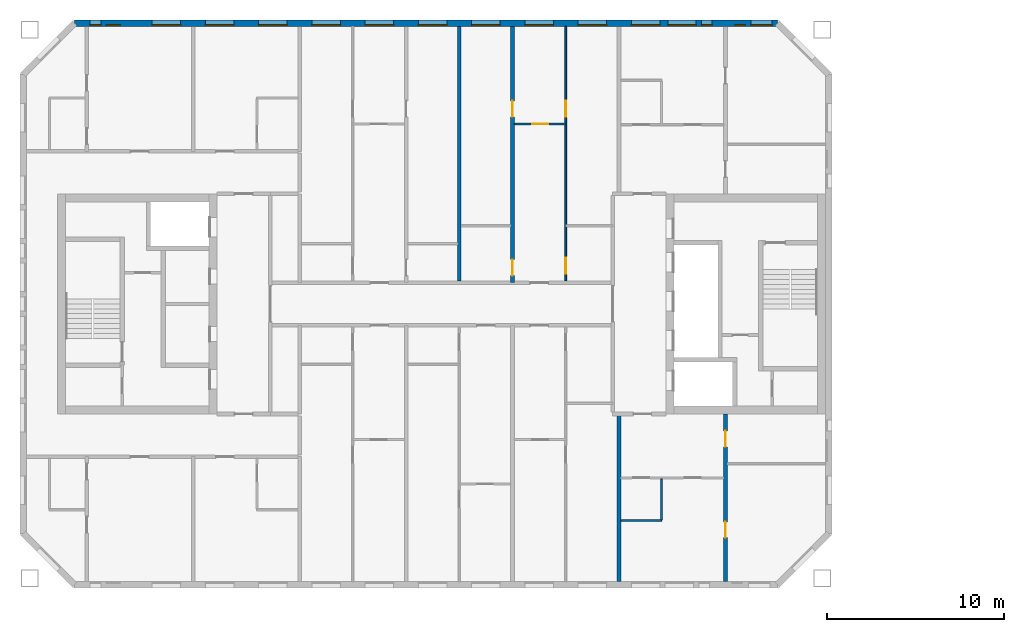
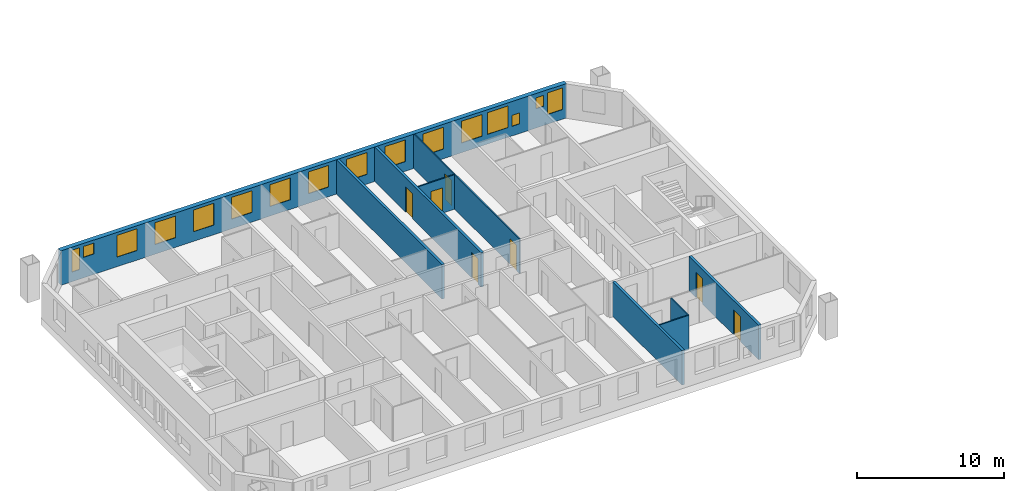
# One storey, part 6 of 16: 16 windows, 9 walls, 7 doors, 23 openings.
"""IFC4 building model written with IfcOpenShell, lengths in metres."""

from ifc_helpers import new_model, si_unit, direction, frame, frame_2d, origin, place, context, subcontext, project, spatial, rectangle, extrude, material, layer, layer_set, type_object, element, fill, save


model = new_model("IFC4")

# Units and contexts
model_context = context("Model", 3, precision=1e-05, world=origin(), true_north=direction((0.0, 1.0)))
body_context = subcontext(model_context, "Body", "Model", "MODEL_VIEW")
ifc_project = project(units=[si_unit("LENGTHUNIT", "METRE"), si_unit("AREAUNIT", "SQUARE_METRE"), si_unit("VOLUMEUNIT", "CUBIC_METRE"), si_unit("PLANEANGLEUNIT", "RADIAN"), si_unit("MASSUNIT", "GRAM", prefix="KILO")], contexts=[model_context])

# Site, building, storey
site_placement = place(None, origin())
site = spatial("IfcSite", under=ifc_project, at=site_placement, CompositionType="ELEMENT")
building_placement = place(site_placement, origin())
building = spatial("IfcBuilding", under=site, at=building_placement, Name="Tuart Gate Housing", CompositionType="ELEMENT")
storey_placement = place(building_placement, frame((0.0, 0.0, 175.800048828125)))
storey = spatial("IfcBuildingStorey", under=building, at=storey_placement, Name="L49", CompositionType="ELEMENT", Elevation=175.800048828125)

# Wall, openings, windows
ifc_material_1 = material(Name="Brick", Category="masonry")
ifc_layer_1 = layer(ifc_material_1, 0.360107421875)
ifc_layer_set_1 = layer_set([ifc_layer_1], Name="Brick pier and spandrel wall 360")
wall_type_1 = type_object("IfcWallType", Name="Brick pier and spandrel wall 360", PredefinedType="STANDARD", material=ifc_layer_set_1)
wall_1_placement = place(storey_placement, frame((72.92529296875, 85.820068359375, 0.0), z_axis=(0.0, 0.0, 1.0), x_axis=(-1.0, 0.0, 0.0)))
wall_1 = element("IfcWall", 1, at=wall_1_placement, inside=storey, type_object=wall_type_1, Name="External wall A-N L49", PredefinedType="STANDARD", context=body_context, shape_type="SweptSolid", body=[
    extrude(rectangle(XDim=39.600830078125, YDim=0.360107421875, at=frame_2d((19.80029296875, 0.0))), origin(), (0.0, 0.0, 1.0), 2.849853515625),
])
opening_1_placement = place(wall_1_placement, frame((0.300048828125, 0.0, 0.800048828125)))
opening_1 = element("IfcOpeningElement", 2, at=opening_1_placement, cuts=wall_1, Name="Opening W1B", PredefinedType="OPENING", context=body_context, shape_type="SweptSolid", body=[
    extrude(rectangle(XDim=1.199951171875, YDim=1.800048828125, at=frame_2d((0.60009765625, 0.89990234375))), frame((0.0, 0.18994140625, 0.0), z_axis=(0.0, -1.0, 0.0), x_axis=(1.0, 0.0, 0.0)), (0.0, 0.0, 1.0), 0.380126953125),
])
opening_2_placement = place(wall_1_placement, frame((3.67529296875, 0.0, 0.800048828125)))
opening_2 = element("IfcOpeningElement", 3, at=opening_2_placement, cuts=wall_1, Name="Opening W1W", PredefinedType="OPENING", context=body_context, shape_type="SweptSolid", body=[
    extrude(rectangle(XDim=0.60009765625, YDim=0.89990234375, at=frame_2d((0.300048828125, 0.449951171875))), frame((0.0, 0.18994140625, 0.0), z_axis=(0.0, -1.0, 0.0), x_axis=(1.0, 0.0, 0.0)), (0.0, 0.0, 1.0), 0.380126953125),
])
opening_3_placement = place(wall_1_placement, frame((6.62548828125, 0.0, 0.800048828125)))
opening_3 = element("IfcOpeningElement", 4, at=opening_3_placement, cuts=wall_1, Name="Opening W1", PredefinedType="OPENING", context=body_context, shape_type="SweptSolid", body=[
    extrude(rectangle(XDim=1.60009765625, YDim=1.800048828125, at=frame_2d((0.800048828125, 0.89990234375))), frame((0.0, 0.18994140625, 0.0), z_axis=(0.0, -1.0, 0.0), x_axis=(1.0, 0.0, 0.0)), (0.0, 0.0, 1.0), 0.380126953125),
])
opening_4_placement = place(wall_1_placement, frame((9.62548828125, 0.0, 0.800048828125)))
opening_4 = element("IfcOpeningElement", 5, at=opening_4_placement, cuts=wall_1, Name="Opening W1", PredefinedType="OPENING", context=body_context, shape_type="SweptSolid", body=[
    extrude(rectangle(XDim=1.60009765625, YDim=1.800048828125, at=frame_2d((0.800048828125, 0.89990234375))), frame((0.0, 0.18994140625, 0.0), z_axis=(0.0, -1.0, 0.0), x_axis=(1.0, 0.0, 0.0)), (0.0, 0.0, 1.0), 0.380126953125),
])
opening_5_placement = place(wall_1_placement, frame((12.62548828125, 0.0, 0.800048828125)))
opening_5 = element("IfcOpeningElement", 6, at=opening_5_placement, cuts=wall_1, Name="Opening W1", PredefinedType="OPENING", context=body_context, shape_type="SweptSolid", body=[
    extrude(rectangle(XDim=1.60009765625, YDim=1.800048828125, at=frame_2d((0.800048828125, 0.89990234375))), frame((0.0, 0.18994140625, 0.0), z_axis=(0.0, -1.0, 0.0), x_axis=(1.0, 0.0, 0.0)), (0.0, 0.0, 1.0), 0.380126953125),
])
opening_6_placement = place(wall_1_placement, frame((15.62548828125, 0.0, 0.800048828125)))
opening_6 = element("IfcOpeningElement", 7, at=opening_6_placement, cuts=wall_1, Name="Opening W1", PredefinedType="OPENING", context=body_context, shape_type="SweptSolid", body=[
    extrude(rectangle(XDim=1.60009765625, YDim=1.800048828125, at=frame_2d((0.800048828125, 0.89990234375))), frame((0.0, 0.18994140625, 0.0), z_axis=(0.0, -1.0, 0.0), x_axis=(1.0, 0.0, 0.0)), (0.0, 0.0, 1.0), 0.380126953125),
])
opening_7_placement = place(wall_1_placement, frame((18.62548828125, 0.0, 0.800048828125)))
opening_7 = element("IfcOpeningElement", 8, at=opening_7_placement, cuts=wall_1, Name="Opening W1", PredefinedType="OPENING", context=body_context, shape_type="SweptSolid", body=[
    extrude(rectangle(XDim=1.60009765625, YDim=1.800048828125, at=frame_2d((0.800048828125, 0.89990234375))), frame((0.0, 0.18994140625, 0.0), z_axis=(0.0, -1.0, 0.0), x_axis=(1.0, 0.0, 0.0)), (0.0, 0.0, 1.0), 0.380126953125),
])
opening_8_placement = place(wall_1_placement, frame((21.62548828125, 0.0, 0.800048828125)))
opening_8 = element("IfcOpeningElement", 9, at=opening_8_placement, cuts=wall_1, Name="Opening W1", PredefinedType="OPENING", context=body_context, shape_type="SweptSolid", body=[
    extrude(rectangle(XDim=1.60009765625, YDim=1.800048828125, at=frame_2d((0.800048828125, 0.89990234375))), frame((0.0, 0.18994140625, 0.0), z_axis=(0.0, -1.0, 0.0), x_axis=(1.0, 0.0, 0.0)), (0.0, 0.0, 1.0), 0.380126953125),
])
opening_9_placement = place(wall_1_placement, frame((24.62548828125, 0.0, 0.800048828125)))
opening_9 = element("IfcOpeningElement", 10, at=opening_9_placement, cuts=wall_1, Name="Opening W1", PredefinedType="OPENING", context=body_context, shape_type="SweptSolid", body=[
    extrude(rectangle(XDim=1.60009765625, YDim=1.800048828125, at=frame_2d((0.800048828125, 0.89990234375))), frame((0.0, 0.18994140625, 0.0), z_axis=(0.0, -1.0, 0.0), x_axis=(1.0, 0.0, 0.0)), (0.0, 0.0, 1.0), 0.380126953125),
])
opening_10_placement = place(wall_1_placement, frame((27.62548828125, 0.0, 0.800048828125)))
opening_10 = element("IfcOpeningElement", 11, at=opening_10_placement, cuts=wall_1, Name="Opening W1", PredefinedType="OPENING", context=body_context, shape_type="SweptSolid", body=[
    extrude(rectangle(XDim=1.60009765625, YDim=1.800048828125, at=frame_2d((0.800048828125, 0.89990234375))), frame((0.0, 0.18994140625, 0.0), z_axis=(0.0, -1.0, 0.0), x_axis=(1.0, 0.0, 0.0)), (0.0, 0.0, 1.0), 0.380126953125),
])
opening_11_placement = place(wall_1_placement, frame((30.62548828125, 0.0, 0.800048828125)))
opening_11 = element("IfcOpeningElement", 12, at=opening_11_placement, cuts=wall_1, Name="Opening W1", PredefinedType="OPENING", context=body_context, shape_type="SweptSolid", body=[
    extrude(rectangle(XDim=1.60009765625, YDim=1.800048828125, at=frame_2d((0.800048828125, 0.89990234375))), frame((0.0, 0.18994140625, 0.0), z_axis=(0.0, -1.0, 0.0), x_axis=(1.0, 0.0, 0.0)), (0.0, 0.0, 1.0), 0.380126953125),
])
opening_12_placement = place(wall_1_placement, frame((33.62548828125, 0.0, 0.800048828125)))
opening_12 = element("IfcOpeningElement", 13, at=opening_12_placement, cuts=wall_1, Name="Opening W1", PredefinedType="OPENING", context=body_context, shape_type="SweptSolid", body=[
    extrude(rectangle(XDim=1.60009765625, YDim=1.800048828125, at=frame_2d((0.800048828125, 0.89990234375))), frame((0.0, 0.18994140625, 0.0), z_axis=(0.0, -1.0, 0.0), x_axis=(1.0, 0.0, 0.0)), (0.0, 0.0, 1.0), 0.380126953125),
])
opening_13_placement = place(wall_1_placement, frame((37.025390625, 0.0, 1.699951171875)))
opening_13 = element("IfcOpeningElement", 14, at=opening_13_placement, cuts=wall_1, Name="Opening W1V", PredefinedType="OPENING", context=body_context, shape_type="SweptSolid", body=[
    extrude(rectangle(XDim=0.800048828125, YDim=0.89990234375, at=frame_2d((0.39990234375, 0.449951171875))), frame((0.0, 0.18994140625, 0.0), z_axis=(0.0, -1.0, 0.0), x_axis=(1.0, 0.0, 0.0)), (0.0, 0.0, 1.0), 0.380126953125),
])
opening_14_placement = place(wall_1_placement, frame((1.800048828125, 0.0, 1.60009765625)))
opening_14 = element("IfcOpeningElement", 15, at=opening_14_placement, cuts=wall_1, Name="Opening W1W", PredefinedType="OPENING", context=body_context, shape_type="SweptSolid", body=[
    extrude(rectangle(XDim=0.60009765625, YDim=0.89990234375, at=frame_2d((0.300048828125, 0.449951171875))), frame((0.0, 0.18994140625, 0.0), z_axis=(0.0, -1.0, 0.0), x_axis=(1.0, 0.0, 0.0)), (0.0, 0.0, 1.0), 0.380126953125),
])
opening_15_placement = place(wall_1_placement, frame((4.575439453125, 0.0, 0.800048828125)))
opening_15 = element("IfcOpeningElement", 16, at=opening_15_placement, cuts=wall_1, Name="Opening W1", PredefinedType="OPENING", context=body_context, shape_type="SweptSolid", body=[
    extrude(rectangle(XDim=1.60009765625, YDim=1.800048828125, at=frame_2d((0.800048828125, 0.89990234375))), frame((0.0, 0.18994140625, 0.0), z_axis=(0.0, -1.0, 0.0), x_axis=(1.0, 0.0, 0.0)), (0.0, 0.0, 1.0), 0.380126953125),
])
opening_16_placement = place(wall_1_placement, frame((38.12548828125, 0.0, 0.800048828125)))
opening_16 = element("IfcOpeningElement", 17, at=opening_16_placement, cuts=wall_1, Name="Opening W1E", PredefinedType="OPENING", context=body_context, shape_type="SweptSolid", body=[
    extrude(rectangle(XDim=0.60009765625, YDim=1.800048828125, at=frame_2d((0.300048828125, 0.89990234375))), frame((0.0, 0.18994140625, 0.0), z_axis=(0.0, -1.0, 0.0), x_axis=(1.0, 0.0, 0.0)), (0.0, 0.0, 1.0), 0.380126953125),
])
ifc_material_2 = material(Name="Aluminium frame with clear glass", Category="aluminium")
window_type_1 = type_object("IfcWindowType", Name="Punched window 1200 x 1800", PartitioningType="SINGLE_PANEL", PredefinedType="WINDOW", material=ifc_material_2)
window_1_placement = place(opening_1_placement, origin())
window_1 = element("IfcWindow", 18, at=window_1_placement, inside=storey, type_object=window_type_1, Name="Window W1B", OverallHeight=1.800048828125, OverallWidth=1.199951171875, PartitioningType="SINGLE_PANEL", PredefinedType="WINDOW", context=body_context, shape_type="SweptSolid", body=[
    extrude(rectangle(XDim=1.199951171875, YDim=1.800048828125, at=frame_2d((0.60009765625, 0.89990234375))), frame((0.0, 0.150146484375, 0.0), z_axis=(0.0, -1.0, 0.0), x_axis=(1.0, 0.0, 0.0)), (0.0, 0.0, 1.0), 0.06005859375),
])
fill(opening_1, window_1)
ifc_material_3 = material(Name="Aluminium frame with clear glass", Category="aluminium")
window_type_2 = type_object("IfcWindowType", Name="Punched window 1600 x 1800", PartitioningType="SINGLE_PANEL", PredefinedType="WINDOW", material=ifc_material_3)
window_2_placement = place(opening_3_placement, origin())
window_2 = element("IfcWindow", 19, at=window_2_placement, inside=storey, type_object=window_type_2, Name="Window W1", OverallHeight=1.800048828125, OverallWidth=1.60009765625, PartitioningType="SINGLE_PANEL", PredefinedType="WINDOW", context=body_context, shape_type="SweptSolid", body=[
    extrude(rectangle(XDim=1.60009765625, YDim=1.800048828125, at=frame_2d((0.800048828125, 0.89990234375))), frame((0.0, 0.150146484375, 0.0), z_axis=(0.0, -1.0, 0.0), x_axis=(1.0, 0.0, 0.0)), (0.0, 0.0, 1.0), 0.06005859375),
])
fill(opening_3, window_2)
window_3_placement = place(opening_4_placement, origin())
window_3 = element("IfcWindow", 20, at=window_3_placement, inside=storey, type_object=window_type_2, Name="Window W1", OverallHeight=1.800048828125, OverallWidth=1.60009765625, PartitioningType="SINGLE_PANEL", PredefinedType="WINDOW", context=body_context, shape_type="SweptSolid", body=[
    extrude(rectangle(XDim=1.60009765625, YDim=1.800048828125, at=frame_2d((0.800048828125, 0.89990234375))), frame((0.0, 0.150146484375, 0.0), z_axis=(0.0, -1.0, 0.0), x_axis=(1.0, 0.0, 0.0)), (0.0, 0.0, 1.0), 0.06005859375),
])
fill(opening_4, window_3)
window_4_placement = place(opening_5_placement, origin())
window_4 = element("IfcWindow", 21, at=window_4_placement, inside=storey, type_object=window_type_2, Name="Window W1", OverallHeight=1.800048828125, OverallWidth=1.60009765625, PartitioningType="SINGLE_PANEL", PredefinedType="WINDOW", context=body_context, shape_type="SweptSolid", body=[
    extrude(rectangle(XDim=1.60009765625, YDim=1.800048828125, at=frame_2d((0.800048828125, 0.89990234375))), frame((0.0, 0.150146484375, 0.0), z_axis=(0.0, -1.0, 0.0), x_axis=(1.0, 0.0, 0.0)), (0.0, 0.0, 1.0), 0.06005859375),
])
fill(opening_5, window_4)
window_5_placement = place(opening_6_placement, origin())
window_5 = element("IfcWindow", 22, at=window_5_placement, inside=storey, type_object=window_type_2, Name="Window W1", OverallHeight=1.800048828125, OverallWidth=1.60009765625, PartitioningType="SINGLE_PANEL", PredefinedType="WINDOW", context=body_context, shape_type="SweptSolid", body=[
    extrude(rectangle(XDim=1.60009765625, YDim=1.800048828125, at=frame_2d((0.800048828125, 0.89990234375))), frame((0.0, 0.150146484375, 0.0), z_axis=(0.0, -1.0, 0.0), x_axis=(1.0, 0.0, 0.0)), (0.0, 0.0, 1.0), 0.06005859375),
])
fill(opening_6, window_5)
window_6_placement = place(opening_7_placement, origin())
window_6 = element("IfcWindow", 23, at=window_6_placement, inside=storey, type_object=window_type_2, Name="Window W1", OverallHeight=1.800048828125, OverallWidth=1.60009765625, PartitioningType="SINGLE_PANEL", PredefinedType="WINDOW", context=body_context, shape_type="SweptSolid", body=[
    extrude(rectangle(XDim=1.60009765625, YDim=1.800048828125, at=frame_2d((0.800048828125, 0.89990234375))), frame((0.0, 0.150146484375, 0.0), z_axis=(0.0, -1.0, 0.0), x_axis=(1.0, 0.0, 0.0)), (0.0, 0.0, 1.0), 0.06005859375),
])
fill(opening_7, window_6)
window_7_placement = place(opening_8_placement, origin())
window_7 = element("IfcWindow", 24, at=window_7_placement, inside=storey, type_object=window_type_2, Name="Window W1", OverallHeight=1.800048828125, OverallWidth=1.60009765625, PartitioningType="SINGLE_PANEL", PredefinedType="WINDOW", context=body_context, shape_type="SweptSolid", body=[
    extrude(rectangle(XDim=1.60009765625, YDim=1.800048828125, at=frame_2d((0.800048828125, 0.89990234375))), frame((0.0, 0.150146484375, 0.0), z_axis=(0.0, -1.0, 0.0), x_axis=(1.0, 0.0, 0.0)), (0.0, 0.0, 1.0), 0.06005859375),
])
fill(opening_8, window_7)
window_8_placement = place(opening_9_placement, origin())
window_8 = element("IfcWindow", 25, at=window_8_placement, inside=storey, type_object=window_type_2, Name="Window W1", OverallHeight=1.800048828125, OverallWidth=1.60009765625, PartitioningType="SINGLE_PANEL", PredefinedType="WINDOW", context=body_context, shape_type="SweptSolid", body=[
    extrude(rectangle(XDim=1.60009765625, YDim=1.800048828125, at=frame_2d((0.800048828125, 0.89990234375))), frame((0.0, 0.150146484375, 0.0), z_axis=(0.0, -1.0, 0.0), x_axis=(1.0, 0.0, 0.0)), (0.0, 0.0, 1.0), 0.06005859375),
])
fill(opening_9, window_8)
window_9_placement = place(opening_10_placement, origin())
window_9 = element("IfcWindow", 26, at=window_9_placement, inside=storey, type_object=window_type_2, Name="Window W1", OverallHeight=1.800048828125, OverallWidth=1.60009765625, PartitioningType="SINGLE_PANEL", PredefinedType="WINDOW", context=body_context, shape_type="SweptSolid", body=[
    extrude(rectangle(XDim=1.60009765625, YDim=1.800048828125, at=frame_2d((0.800048828125, 0.89990234375))), frame((0.0, 0.150146484375, 0.0), z_axis=(0.0, -1.0, 0.0), x_axis=(1.0, 0.0, 0.0)), (0.0, 0.0, 1.0), 0.06005859375),
])
fill(opening_10, window_9)
window_10_placement = place(opening_11_placement, origin())
window_10 = element("IfcWindow", 27, at=window_10_placement, inside=storey, type_object=window_type_2, Name="Window W1", OverallHeight=1.800048828125, OverallWidth=1.60009765625, PartitioningType="SINGLE_PANEL", PredefinedType="WINDOW", context=body_context, shape_type="SweptSolid", body=[
    extrude(rectangle(XDim=1.60009765625, YDim=1.800048828125, at=frame_2d((0.800048828125, 0.89990234375))), frame((0.0, 0.150146484375, 0.0), z_axis=(0.0, -1.0, 0.0), x_axis=(1.0, 0.0, 0.0)), (0.0, 0.0, 1.0), 0.06005859375),
])
fill(opening_11, window_10)
window_11_placement = place(opening_12_placement, origin())
window_11 = element("IfcWindow", 28, at=window_11_placement, inside=storey, type_object=window_type_2, Name="Window W1", OverallHeight=1.800048828125, OverallWidth=1.60009765625, PartitioningType="SINGLE_PANEL", PredefinedType="WINDOW", context=body_context, shape_type="SweptSolid", body=[
    extrude(rectangle(XDim=1.60009765625, YDim=1.800048828125, at=frame_2d((0.800048828125, 0.89990234375))), frame((0.0, 0.150146484375, 0.0), z_axis=(0.0, -1.0, 0.0), x_axis=(1.0, 0.0, 0.0)), (0.0, 0.0, 1.0), 0.06005859375),
])
fill(opening_12, window_11)
window_12_placement = place(opening_15_placement, origin())
window_12 = element("IfcWindow", 29, at=window_12_placement, inside=storey, type_object=window_type_2, Name="Window W1", OverallHeight=1.800048828125, OverallWidth=1.60009765625, PartitioningType="SINGLE_PANEL", PredefinedType="WINDOW", context=body_context, shape_type="SweptSolid", body=[
    extrude(rectangle(XDim=1.60009765625, YDim=1.800048828125, at=frame_2d((0.800048828125, 0.89990234375))), frame((0.0, 0.150146484375, 0.0), z_axis=(0.0, -1.0, 0.0), x_axis=(1.0, 0.0, 0.0)), (0.0, 0.0, 1.0), 0.06005859375),
])
fill(opening_15, window_12)
ifc_material_4 = material(Name="Aluminium frame with clear glass", Category="aluminium")
window_type_3 = type_object("IfcWindowType", Name="Punched window 600 x 1800", PartitioningType="SINGLE_PANEL", PredefinedType="WINDOW", material=ifc_material_4)
window_13_placement = place(opening_16_placement, origin())
window_13 = element("IfcWindow", 30, at=window_13_placement, inside=storey, type_object=window_type_3, Name="Window W1E", OverallHeight=1.800048828125, OverallWidth=0.60009765625, PartitioningType="SINGLE_PANEL", PredefinedType="WINDOW", context=body_context, shape_type="SweptSolid", body=[
    extrude(rectangle(XDim=0.60009765625, YDim=1.800048828125, at=frame_2d((0.300048828125, 0.89990234375))), frame((0.0, 0.150146484375, 0.0), z_axis=(0.0, -1.0, 0.0), x_axis=(1.0, 0.0, 0.0)), (0.0, 0.0, 1.0), 0.06005859375),
])
fill(opening_16, window_13)
ifc_material_5 = material(Name="Aluminium frame with clear glass", Category="aluminium")
window_type_4 = type_object("IfcWindowType", Name="Punched window 600 x 900", PartitioningType="SINGLE_PANEL", PredefinedType="WINDOW", material=ifc_material_5)
window_14_placement = place(opening_2_placement, origin())
window_14 = element("IfcWindow", 31, at=window_14_placement, inside=storey, type_object=window_type_4, Name="Window W1W", OverallHeight=0.89990234375, OverallWidth=0.60009765625, PartitioningType="SINGLE_PANEL", PredefinedType="WINDOW", context=body_context, shape_type="SweptSolid", body=[
    extrude(rectangle(XDim=0.60009765625, YDim=0.89990234375, at=frame_2d((0.300048828125, 0.449951171875))), frame((0.0, 0.150146484375, 0.0), z_axis=(0.0, -1.0, 0.0), x_axis=(1.0, 0.0, 0.0)), (0.0, 0.0, 1.0), 0.06005859375),
])
fill(opening_2, window_14)
window_15_placement = place(opening_14_placement, origin())
window_15 = element("IfcWindow", 32, at=window_15_placement, inside=storey, type_object=window_type_4, Name="Window W1W", OverallHeight=0.89990234375, OverallWidth=0.60009765625, PartitioningType="SINGLE_PANEL", PredefinedType="WINDOW", context=body_context, shape_type="SweptSolid", body=[
    extrude(rectangle(XDim=0.60009765625, YDim=0.89990234375, at=frame_2d((0.300048828125, 0.449951171875))), frame((0.0, 0.150146484375, 0.0), z_axis=(0.0, -1.0, 0.0), x_axis=(1.0, 0.0, 0.0)), (0.0, 0.0, 1.0), 0.06005859375),
])
fill(opening_14, window_15)
ifc_material_6 = material(Name="Aluminium frame with clear glass", Category="aluminium")
window_type_5 = type_object("IfcWindowType", Name="Punched window 800 x 900", PartitioningType="SINGLE_PANEL", PredefinedType="WINDOW", material=ifc_material_6)
window_16_placement = place(opening_13_placement, origin())
window_16 = element("IfcWindow", 33, at=window_16_placement, inside=storey, type_object=window_type_5, Name="Window W1V", OverallHeight=0.89990234375, OverallWidth=0.800048828125, PartitioningType="SINGLE_PANEL", PredefinedType="WINDOW", context=body_context, shape_type="SweptSolid", body=[
    extrude(rectangle(XDim=0.800048828125, YDim=0.89990234375, at=frame_2d((0.39990234375, 0.449951171875))), frame((0.0, 0.150146484375, 0.0), z_axis=(0.0, -1.0, 0.0), x_axis=(1.0, 0.0, 0.0)), (0.0, 0.0, 1.0), 0.06005859375),
])
fill(opening_13, window_16)

# Wall
ifc_material_7 = material(Name="Gypsum board on steel studs", Category="steel")
ifc_layer_2 = layer(ifc_material_7, 0.10009765625)
ifc_layer_set_2 = layer_set([ifc_layer_2], Name="Partition 100")
wall_type_2 = type_object("IfcWallType", Name="Partition 100", PredefinedType="PARTITIONING", material=ifc_layer_set_2)
wall_2_placement = place(storey_placement, frame((64.10009765625, 57.800048828125, 0.0), z_axis=(0.0, 0.0, 1.0), x_axis=(1.0, 0.0, 0.0)))
element("IfcWall", 34, at=wall_2_placement, inside=storey, type_object=wall_type_2, Name="Partition 100", PredefinedType="PARTITIONING", context=body_context, shape_type="SweptSolid", body=[
    extrude(rectangle(XDim=2.2998046875, YDim=0.10009765625, at=frame_2d((1.14990234375, 0.0))), origin(), (0.0, 0.0, 1.0), 2.849853515625),
])

# Wall, opening, door
wall_3_placement = place(storey_placement, frame((58.10009765625, 80.139892578125, 0.0), z_axis=(0.0, 0.0, 1.0), x_axis=(1.0, 0.0, 0.0)))
wall_3 = element("IfcWall", 35, at=wall_3_placement, inside=storey, type_object=wall_type_2, Name="Partition 100", PredefinedType="PARTITIONING", context=body_context, shape_type="SweptSolid", body=[
    extrude(rectangle(XDim=2.89990234375, YDim=0.10009765625, at=frame_2d((1.449951171875, 0.0))), origin(), (0.0, 0.0, 1.0), 2.849853515625),
])
opening_17_placement = place(wall_3_placement, frame((1.0, 0.0, 0.0)))
opening_17 = element("IfcOpeningElement", 36, at=opening_17_placement, cuts=wall_3, Name="Opening D1738", PredefinedType="OPENING", context=body_context, shape_type="SweptSolid", body=[
    extrude(rectangle(XDim=0.89990234375, YDim=2.10009765625, at=frame_2d((0.449951171875, 1.050048828125))), frame((0.0, 0.06005859375, 0.0), z_axis=(0.0, -1.0, 0.0), x_axis=(1.0, 0.0, 0.0)), (0.0, 0.0, 1.0), 0.1201171875),
])
ifc_material_8 = material(Name="Timber door leaf in steel frame", Category="steel")
door_type_1 = type_object("IfcDoorType", Name="Internal door 900", OperationType="SINGLE_SWING_LEFT", PredefinedType="DOOR", material=ifc_material_8)
door_1_placement = place(opening_17_placement, frame((0.89990234375, 0.0, 0.0), z_axis=(0.0, 0.0, 1.0), x_axis=(-1.0, 0.0, 0.0)))
door_1 = element("IfcDoor", 37, at=door_1_placement, inside=storey, type_object=door_type_1, Name="Internal door", OperationType="SINGLE_SWING_LEFT", OverallHeight=2.10009765625, OverallWidth=0.89990234375, PredefinedType="DOOR", context=body_context, shape_type="SweptSolid", body=[
    extrude(rectangle(XDim=0.89990234375, YDim=2.10009765625, at=frame_2d((0.449951171875, 1.050048828125))), frame((0.0, 0.025146484375, 0.0), z_axis=(0.0, -1.0, 0.0), x_axis=(1.0, 0.0, 0.0)), (0.0, 0.0, 1.0), 0.050048828125),
])
fill(opening_17, door_1)

# Wall, openings, doors
wall_4_placement = place(storey_placement, frame((61.0, 71.300048828125, 0.0), z_axis=(0.0, 0.0, 1.0), x_axis=(0.0, 1.0, 0.0)))
wall_4 = element("IfcWall", 38, at=wall_4_placement, inside=storey, type_object=wall_type_2, Name="Partition 100", PredefinedType="PARTITIONING", context=body_context, shape_type="SweptSolid", body=[
    extrude(rectangle(XDim=14.33984375, YDim=0.10009765625, at=frame_2d((7.169921875, 0.0))), origin(), (0.0, 0.0, 1.0), 2.849853515625),
])
opening_18_placement = place(wall_4_placement, frame((9.239990234375, 0.0, 0.0)))
opening_18 = element("IfcOpeningElement", 39, at=opening_18_placement, cuts=wall_4, Name="Opening D1747", PredefinedType="OPENING", context=body_context, shape_type="SweptSolid", body=[
    extrude(rectangle(XDim=0.89990234375, YDim=2.10009765625, at=frame_2d((0.449951171875, 1.050048828125))), frame((0.0, 0.06005859375, 0.0), z_axis=(0.0, -1.0, 0.0), x_axis=(1.0, 0.0, 0.0)), (0.0, 0.0, 1.0), 0.1201171875),
])
opening_19_placement = place(wall_4_placement, frame((0.39990234375, 0.0, 0.0)))
opening_19 = element("IfcOpeningElement", 40, at=opening_19_placement, cuts=wall_4, Name="Opening D1746", PredefinedType="OPENING", context=body_context, shape_type="SweptSolid", body=[
    extrude(rectangle(XDim=0.89990234375, YDim=2.10009765625, at=frame_2d((0.449951171875, 1.050048828125))), frame((0.0, 0.06005859375, 0.0), z_axis=(0.0, -1.0, 0.0), x_axis=(1.0, 0.0, 0.0)), (0.0, 0.0, 1.0), 0.1201171875),
])
ifc_material_9 = material(Name="Timber door leaf in steel frame", Category="steel")
door_type_2 = type_object("IfcDoorType", Name="Bathroom door 900 RH", OperationType="SINGLE_SWING_RIGHT", PredefinedType="DOOR", material=ifc_material_9)
door_2_placement = place(opening_19_placement, frame((0.89990234375, 0.0, 0.0), z_axis=(0.0, 0.0, 1.0), x_axis=(-1.0, 0.0, 0.0)))
door_2 = element("IfcDoor", 41, at=door_2_placement, inside=storey, type_object=door_type_2, Name="Bathroom door", OperationType="SINGLE_SWING_RIGHT", OverallHeight=2.10009765625, OverallWidth=0.89990234375, PredefinedType="DOOR", context=body_context, shape_type="SweptSolid", body=[
    extrude(rectangle(XDim=0.89990234375, YDim=2.10009765625, at=frame_2d((0.449951171875, 1.050048828125))), frame((0.0, 0.025146484375, 0.0), z_axis=(0.0, -1.0, 0.0), x_axis=(1.0, 0.0, 0.0)), (0.0, 0.0, 1.0), 0.050048828125),
])
fill(opening_19, door_2)
door_3_placement = place(opening_18_placement, frame((0.89990234375, 0.0, 0.0), z_axis=(0.0, 0.0, 1.0), x_axis=(-1.0, 0.0, 0.0)))
door_3 = element("IfcDoor", 42, at=door_3_placement, inside=storey, type_object=door_type_1, Name="Internal door", OperationType="SINGLE_SWING_LEFT", OverallHeight=2.10009765625, OverallWidth=0.89990234375, PredefinedType="DOOR", context=body_context, shape_type="SweptSolid", body=[
    extrude(rectangle(XDim=0.89990234375, YDim=2.10009765625, at=frame_2d((0.449951171875, 1.050048828125))), frame((0.0, 0.025146484375, 0.0), z_axis=(0.0, -1.0, 0.0), x_axis=(1.0, 0.0, 0.0)), (0.0, 0.0, 1.0), 0.050048828125),
])
fill(opening_18, door_3)

# Wall
wall_5_placement = place(storey_placement, frame((66.39990234375, 57.85009765625, 0.0), z_axis=(0.0, 0.0, 1.0), x_axis=(0.0, 1.0, 0.0)))
element("IfcWall", 43, at=wall_5_placement, inside=storey, type_object=wall_type_2, Name="Partition 100", PredefinedType="PARTITIONING", context=body_context, shape_type="SweptSolid", body=[
    extrude(rectangle(XDim=2.2998046875, YDim=0.10009765625, at=frame_2d((1.14990234375, 0.0))), origin(), (0.0, 0.0, 1.0), 2.849853515625),
])

# Wall, openings, doors
ifc_material_10 = material(Name="Concrete C40", Category="concrete")
ifc_layer_3 = layer(ifc_material_10, 0.199951171875)
ifc_layer_set_3 = layer_set([ifc_layer_3], Name="Party wall concrete C40 200")
wall_type_3 = type_object("IfcWallType", Name="Party wall concrete C40 200", PredefinedType="SOLIDWALL", material=ifc_layer_set_3)
wall_6_placement = place(storey_placement, frame((58.0, 71.199951171875, 0.0), z_axis=(0.0, 0.0, 1.0), x_axis=(0.0, 1.0, 0.0)))
wall_6 = element("IfcWall", 44, at=wall_6_placement, inside=storey, type_object=wall_type_3, Name="Party wall concrete C40 200", PredefinedType="SOLIDWALL", context=body_context, shape_type="SweptSolid", body=[
    extrude(rectangle(XDim=14.43994140625, YDim=0.199951171875, at=frame_2d((7.219970703125, 0.0))), origin(), (0.0, 0.0, 1.0), 2.849853515625),
])
opening_20_placement = place(wall_6_placement, frame((9.340087890625, 0.0, 0.0)))
opening_20 = element("IfcOpeningElement", 45, at=opening_20_placement, cuts=wall_6, Name="Opening D1751", PredefinedType="OPENING", context=body_context, shape_type="SweptSolid", body=[
    extrude(rectangle(XDim=0.89990234375, YDim=2.10009765625, at=frame_2d((0.449951171875, 1.050048828125))), frame((0.0, 0.10986328125, 0.0), z_axis=(0.0, -1.0, 0.0), x_axis=(1.0, 0.0, 0.0)), (0.0, 0.0, 1.0), 0.219970703125),
])
opening_21_placement = place(wall_6_placement, frame((0.39990234375, 0.0, 0.0)))
opening_21 = element("IfcOpeningElement", 46, at=opening_21_placement, cuts=wall_6, Name="Opening D1750", PredefinedType="OPENING", context=body_context, shape_type="SweptSolid", body=[
    extrude(rectangle(XDim=0.89990234375, YDim=2.10009765625, at=frame_2d((0.449951171875, 1.050048828125))), frame((0.0, 0.10986328125, 0.0), z_axis=(0.0, -1.0, 0.0), x_axis=(1.0, 0.0, 0.0)), (0.0, 0.0, 1.0), 0.219970703125),
])
ifc_material_11 = material(Name="Timber door leaf in steel frame", Category="steel")
door_type_3 = type_object("IfcDoorType", Name="Bathroom door 900", OperationType="SINGLE_SWING_LEFT", PredefinedType="DOOR", material=ifc_material_11)
door_4_placement = place(opening_21_placement, origin())
door_4 = element("IfcDoor", 47, at=door_4_placement, inside=storey, type_object=door_type_3, Name="Bathroom door", OperationType="SINGLE_SWING_LEFT", OverallHeight=2.10009765625, OverallWidth=0.89990234375, PredefinedType="DOOR", context=body_context, shape_type="SweptSolid", body=[
    extrude(rectangle(XDim=0.89990234375, YDim=2.10009765625, at=frame_2d((0.449951171875, 1.050048828125))), frame((0.0, 0.02490234375, 0.0), z_axis=(0.0, -1.0, 0.0), x_axis=(1.0, 0.0, 0.0)), (0.0, 0.0, 1.0), 0.050048828125),
])
fill(opening_21, door_4)
ifc_material_12 = material(Name="Timber door leaf in steel frame", Category="steel")
door_type_4 = type_object("IfcDoorType", Name="Internal door 900 RH", OperationType="SINGLE_SWING_RIGHT", PredefinedType="DOOR", material=ifc_material_12)
door_5_placement = place(opening_20_placement, origin())
door_5 = element("IfcDoor", 48, at=door_5_placement, inside=storey, type_object=door_type_4, Name="Internal door", OperationType="SINGLE_SWING_RIGHT", OverallHeight=2.10009765625, OverallWidth=0.89990234375, PredefinedType="DOOR", context=body_context, shape_type="SweptSolid", body=[
    extrude(rectangle(XDim=0.89990234375, YDim=2.10009765625, at=frame_2d((0.449951171875, 1.050048828125))), frame((0.0, 0.02490234375, 0.0), z_axis=(0.0, -1.0, 0.0), x_axis=(1.0, 0.0, 0.0)), (0.0, 0.0, 1.0), 0.050048828125),
])
fill(opening_20, door_5)

# Wall
wall_7_placement = place(storey_placement, frame((64.0, 54.360107421875, 0.0), z_axis=(0.0, 0.0, 1.0), x_axis=(0.0, 1.0, 0.0)))
element("IfcWall", 49, at=wall_7_placement, inside=storey, type_object=wall_type_3, Name="Party wall concrete C40 200", PredefinedType="SOLIDWALL", context=body_context, shape_type="SweptSolid", body=[
    extrude(rectangle(XDim=9.43994140625, YDim=0.199951171875, at=frame_2d((4.719970703125, 0.0))), origin(), (0.0, 0.0, 1.0), 2.849853515625),
])

# Wall, openings, doors
wall_8_placement = place(storey_placement, frame((70.0, 54.360107421875, 0.0), z_axis=(0.0, 0.0, 1.0), x_axis=(0.0, 1.0, 0.0)))
wall_8 = element("IfcWall", 50, at=wall_8_placement, inside=storey, type_object=wall_type_3, Name="Party wall concrete C40 200", PredefinedType="SOLIDWALL", context=body_context, shape_type="SweptSolid", body=[
    extrude(rectangle(XDim=9.43994140625, YDim=0.199951171875, at=frame_2d((4.719970703125, 0.0))), origin(), (0.0, 0.0, 1.0), 2.849853515625),
])
opening_22_placement = place(wall_8_placement, frame((2.469970703125, 0.0, 0.0)))
opening_22 = element("IfcOpeningElement", 51, at=opening_22_placement, cuts=wall_8, Name="Opening D1787", PredefinedType="OPENING", context=body_context, shape_type="SweptSolid", body=[
    extrude(rectangle(XDim=0.89990234375, YDim=2.10009765625, at=frame_2d((0.449951171875, 1.050048828125))), frame((0.0, 0.10986328125, 0.0), z_axis=(0.0, -1.0, 0.0), x_axis=(1.0, 0.0, 0.0)), (0.0, 0.0, 1.0), 0.219970703125),
])
opening_23_placement = place(wall_8_placement, frame((7.590087890625, 0.0, 0.0)))
opening_23 = element("IfcOpeningElement", 52, at=opening_23_placement, cuts=wall_8, Name="Opening D1788", PredefinedType="OPENING", context=body_context, shape_type="SweptSolid", body=[
    extrude(rectangle(XDim=0.89990234375, YDim=2.10009765625, at=frame_2d((0.449951171875, 1.050048828125))), frame((0.0, 0.10986328125, 0.0), z_axis=(0.0, -1.0, 0.0), x_axis=(1.0, 0.0, 0.0)), (0.0, 0.0, 1.0), 0.219970703125),
])
door_6_placement = place(opening_22_placement, frame((0.89990234375, 0.0, 0.0), z_axis=(0.0, 0.0, 1.0), x_axis=(-1.0, 0.0, 0.0)))
door_6 = element("IfcDoor", 53, at=door_6_placement, inside=storey, type_object=door_type_4, Name="Internal door", OperationType="SINGLE_SWING_RIGHT", OverallHeight=2.10009765625, OverallWidth=0.89990234375, PredefinedType="DOOR", context=body_context, shape_type="SweptSolid", body=[
    extrude(rectangle(XDim=0.89990234375, YDim=2.10009765625, at=frame_2d((0.449951171875, 1.050048828125))), frame((0.0, 0.025146484375, 0.0), z_axis=(0.0, -1.0, 0.0), x_axis=(1.0, 0.0, 0.0)), (0.0, 0.0, 1.0), 0.050048828125),
])
fill(opening_22, door_6)
door_7_placement = place(opening_23_placement, frame((0.89990234375, 0.0, 0.0), z_axis=(0.0, 0.0, 1.0), x_axis=(-1.0, 0.0, 0.0)))
door_7 = element("IfcDoor", 54, at=door_7_placement, inside=storey, type_object=door_type_4, Name="Internal door", OperationType="SINGLE_SWING_RIGHT", OverallHeight=2.10009765625, OverallWidth=0.89990234375, PredefinedType="DOOR", context=body_context, shape_type="SweptSolid", body=[
    extrude(rectangle(XDim=0.89990234375, YDim=2.10009765625, at=frame_2d((0.449951171875, 1.050048828125))), frame((0.0, 0.025146484375, 0.0), z_axis=(0.0, -1.0, 0.0), x_axis=(1.0, 0.0, 0.0)), (0.0, 0.0, 1.0), 0.050048828125),
])
fill(opening_23, door_7)

# Wall
ifc_material_13 = material(Name="Concrete masonry 15 MPa", Category="masonry")
ifc_layer_4 = layer(ifc_material_13, 0.199951171875)
ifc_layer_set_4 = layer_set([ifc_layer_4], Name="Party wall masonry 200")
wall_type_4 = type_object("IfcWallType", Name="Party wall masonry 200", PredefinedType="PARTITIONING", material=ifc_layer_set_4)
wall_9_placement = place(storey_placement, frame((55.0, 71.300048828125, 0.0), z_axis=(0.0, 0.0, 1.0), x_axis=(0.0, 1.0, 0.0)))
element("IfcWall", 55, at=wall_9_placement, inside=storey, type_object=wall_type_4, Name="Party wall masonry 200", PredefinedType="PARTITIONING", context=body_context, shape_type="SweptSolid", body=[
    extrude(rectangle(XDim=14.33984375, YDim=0.199951171875, at=frame_2d((7.169921875, 0.0))), origin(), (0.0, 0.0, 1.0), 2.849853515625),
])

save(model, "model.ifc")
